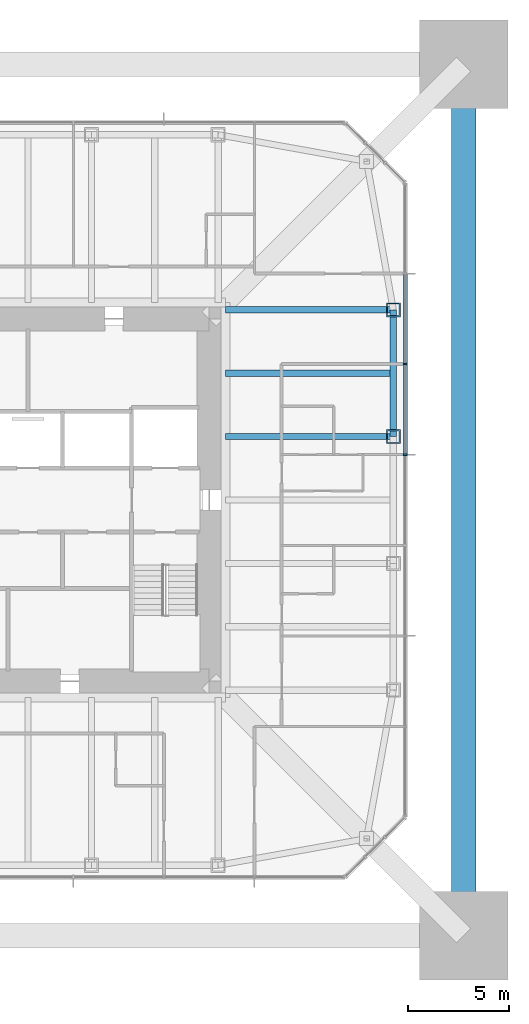
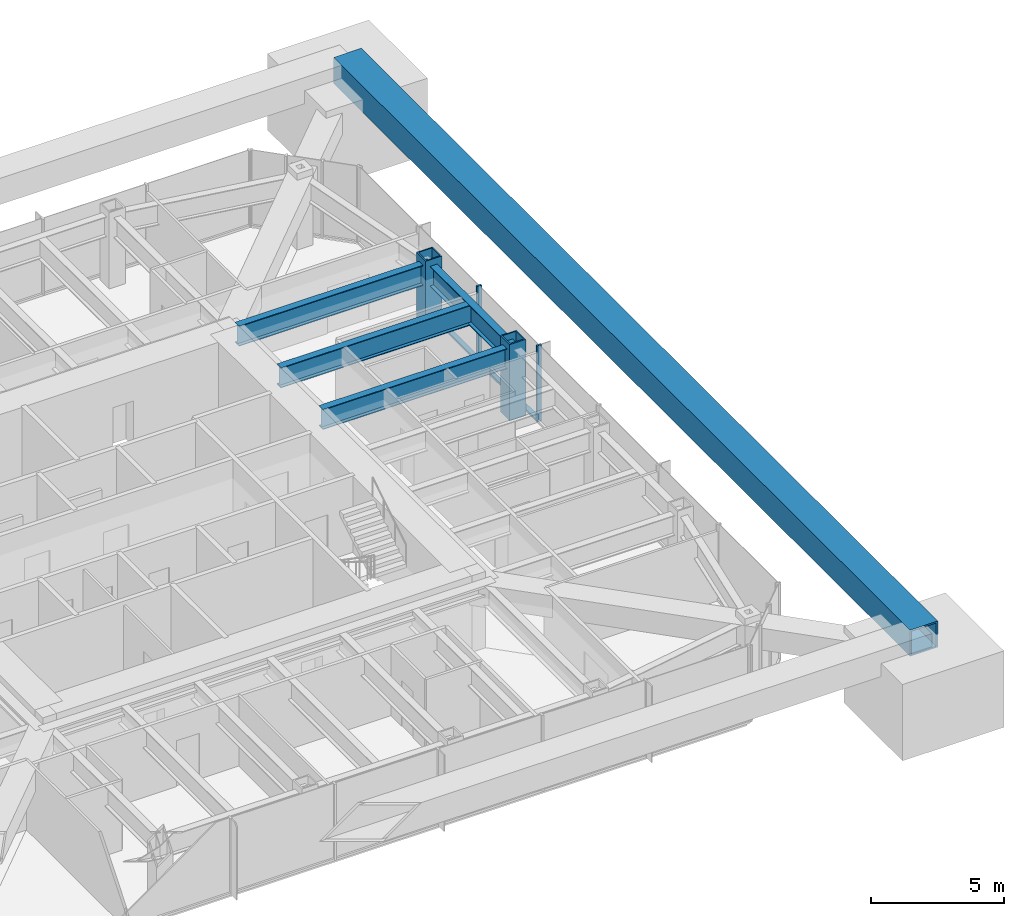
# One storey, part 6 of 15: 7 members, 4 beams, 1 element without a shape of its own.
"""IFC4 building model written with IfcOpenShell, lengths in metres."""

from ifc_helpers import new_model, si_unit, direction, frame, origin, origin_2d, place, context, subcontext, project, spatial, rectangle, hollow_rectangle, i_section, extrude, material, material_profile, profile_set, type_object, element, aggregate, save


model = new_model("IFC4")

# Units and contexts
model_context = context("Model", 3, precision=1e-05, world=origin(), true_north=direction((0.0, 1.0)))
body_context = subcontext(model_context, "Body", "Model", "MODEL_VIEW")
ifc_project = project(units=[si_unit("LENGTHUNIT", "METRE"), si_unit("AREAUNIT", "SQUARE_METRE"), si_unit("VOLUMEUNIT", "CUBIC_METRE"), si_unit("PLANEANGLEUNIT", "RADIAN"), si_unit("MASSUNIT", "GRAM", prefix="KILO")], contexts=[model_context])

# Site, building, storey
site_placement = place(None, origin())
site = spatial("IfcSite", under=ifc_project, at=site_placement, CompositionType="ELEMENT")
building_placement = place(site_placement, origin())
building = spatial("IfcBuilding", under=site, at=building_placement, Name="Iwan Alto Co-Living Towers", CompositionType="ELEMENT")
storey_placement = place(building_placement, frame((0.0, 0.0, 205.5)))
storey = spatial("IfcBuildingStorey", under=building, at=storey_placement, Name="L56", CompositionType="ELEMENT", Elevation=205.5)

# Curtain wall, members
ifc_material_1 = material(Name="Bronze aluminium unitised frame", Category="aluminium")
curtain_wall_type = type_object("IfcCurtainWallType", Name="CURTAIN WALL CW-A", PredefinedType="NOTDEFINED", material=ifc_material_1)
curtain_wall_placement = place(storey_placement, origin())
curtain_wall = element("IfcCurtainWall", 1, at=curtain_wall_placement, inside=storey, type_object=curtain_wall_type, Name="T1 curtain wall E L56", PredefinedType="NOTDEFINED")
ifc_material_2 = material(Name="Aluminium 6063-T6 bronze anodised", Category="aluminium")
ifc_material_profile_1 = material_profile(ifc_material_2, rectangle(XDim=0.199951171875, YDim=0.080078125, at=origin_2d()), Name="AL 80X200")
ifc_profile_set_1 = profile_set([ifc_material_profile_1], Name="Aluminium 6063-T6 bronze anodised")
member_type_1 = type_object("IfcMemberType", Name="CW-A MULLION 80X200", PredefinedType="MULLION", material=ifc_profile_set_1)
member_1_placement = place(storey_placement, frame((18.75, 2.25, 0.0), z_axis=(0.0, 0.0, 1.0), x_axis=(-1.0, 0.0, 0.0)))
member_1 = element("IfcMember", 2, at=member_1_placement, type_object=member_type_1, Name="CW-A mullion 5", PredefinedType="MULLION", context=body_context, shape_type="SweptSolid", body=[
    extrude(rectangle(XDim=0.199951171875, YDim=0.080078125, at=origin_2d()), origin(), (0.0, 0.0, 1.0), 3.5),
])
member_2_placement = place(storey_placement, frame((18.75, 6.75, 0.0), z_axis=(0.0, 0.0, 1.0), x_axis=(-1.0, 0.0, 0.0)))
member_2 = element("IfcMember", 3, at=member_2_placement, type_object=member_type_1, Name="CW-A mullion 6", PredefinedType="MULLION", context=body_context, shape_type="SweptSolid", body=[
    extrude(rectangle(XDim=0.199951171875, YDim=0.080078125, at=origin_2d()), origin(), (0.0, 0.0, 1.0), 3.5),
])
ifc_material_3 = material(Name="Aluminium 6063-T6 bronze anodised", Category="aluminium")
ifc_material_profile_2 = material_profile(ifc_material_3, rectangle(XDim=0.199951171875, YDim=0.10009765625, at=origin_2d()), Name="AL 200X100")
ifc_profile_set_2 = profile_set([ifc_material_profile_2], Name="Aluminium 6063-T6 bronze anodised")
member_type_2 = type_object("IfcMemberType", Name="CW-A TRANSOM 200X100", PredefinedType="USERDEFINED", material=ifc_profile_set_2)
member_3_placement = place(storey_placement, frame((18.75, 2.2900390625, 0.050048828125), z_axis=(0.0, 1.0, 0.0), x_axis=(-1.0, 0.0, 0.0)))
member_3 = element("IfcMember", 4, at=member_3_placement, type_object=member_type_2, Name="CW-A transom 5.1", ObjectType="TRANSOM", PredefinedType="USERDEFINED", context=body_context, shape_type="SweptSolid", body=[
    extrude(rectangle(XDim=0.199951171875, YDim=0.10009765625, at=origin_2d()), origin(), (0.0, 0.0, 1.0), 4.419921875),
])
member_4_placement = place(storey_placement, frame((18.75, 6.7900390625, 0.050048828125), z_axis=(0.0, 1.0, 0.0), x_axis=(-1.0, 0.0, 0.0)))
member_4 = element("IfcMember", 5, at=member_4_placement, type_object=member_type_2, Name="CW-A transom 6.1", ObjectType="TRANSOM", PredefinedType="USERDEFINED", context=body_context, shape_type="SweptSolid", body=[
    extrude(rectangle(XDim=0.199951171875, YDim=0.10009765625, at=origin_2d()), origin(), (0.0, 0.0, 1.0), 4.419921875),
])
aggregate(curtain_wall, [member_1, member_2, member_3, member_4])

# Beam
ifc_material_4 = material(Name="Steel ASTM A992 Gr 50", Category="steel")
ifc_material_profile_3 = material_profile(ifc_material_4, i_section(OverallWidth=0.307373046875, OverallDepth=0.927001953125, WebThickness=0.01953125, FlangeThickness=0.031982421875, at=origin_2d()), Name="W36X194")
ifc_profile_set_3 = profile_set([ifc_material_profile_3], Name="Steel ASTM A992 Gr 50")
beam_type_1 = type_object("IfcBeamType", Name="T1 BELT TRUSS CHORD W36X194", PredefinedType="BEAM", material=ifc_profile_set_3)
beam_1_placement = place(storey_placement, frame((18.14990234375, 3.14990234375, 2.736328125), z_axis=(0.0, 1.0, 0.0), x_axis=(-1.0, 0.0, 0.0)))
element("IfcBeam", 6, at=beam_1_placement, inside=storey, type_object=beam_type_1, Name="T1 edge beam E3 L57", PredefinedType="BEAM", context=body_context, shape_type="SweptSolid", body=[
    extrude(i_section(OverallWidth=0.307373046875, OverallDepth=0.927001953125, WebThickness=0.01953125, FlangeThickness=0.031982421875, at=origin_2d()), origin(), (0.0, 0.0, 1.0), 6.300048828125),
])

# Member
ifc_material_5 = material(Name="Steel ASTM A572 Gr 50", Category="steel")
ifc_material_profile_4 = material_profile(ifc_material_5, hollow_rectangle(XDim=1.199951171875, YDim=1.199951171875, WallThickness=0.070068359375, at=origin_2d()), Name="BOX 1200X1200X70")
ifc_profile_set_4 = profile_set([ifc_material_profile_4], Name="Steel ASTM A572 Gr 50")
member_type_3 = type_object("IfcMemberType", Name="T1 MEGA BELT TIE BOX 1200X1200X70", PredefinedType="STRUT", material=ifc_profile_set_4)
member_5_placement = place(storey_placement, frame((21.64990234375, -21.64990234375, 3.5), z_axis=(0.0, 1.0, 0.0), x_axis=(-1.0, 0.0, 0.0)))
element("IfcMember", 7, at=member_5_placement, inside=storey, type_object=member_type_3, Name="T1 mega belt tie E L57", PredefinedType="STRUT", context=body_context, shape_type="SweptSolid", body=[
    extrude(hollow_rectangle(XDim=1.199951171875, YDim=1.199951171875, WallThickness=0.070068359375, at=origin_2d()), origin(), (0.0, 0.0, 1.0), 43.2998046875),
])

# Beams
ifc_material_6 = material(Name="Steel ASTM A992 Gr 50", Category="steel")
ifc_material_profile_5 = material_profile(ifc_material_6, i_section(OverallWidth=0.307373046875, OverallDepth=0.927001953125, WebThickness=0.01953125, FlangeThickness=0.031982421875, at=origin_2d()), Name="W36X194")
ifc_profile_set_5 = profile_set([ifc_material_profile_5], Name="Steel ASTM A992 Gr 50")
beam_type_2 = type_object("IfcBeamType", Name="T1 RADIAL BEAM W36X194", PredefinedType="BEAM", material=ifc_profile_set_5)
for number, where, z_axis, x_axis, name in (
    (8, (18.14990234375, 3.14990234375, 2.736328125), (-1.0, 0.0, 0.0), (0.0, -1.0, 0.0), "T1 radial beam E3 L57"),
    (9, (18.14990234375, 9.449951171875, 2.736328125), (-1.0, 0.0, 0.0), (0.0, -1.0, 0.0), "T1 radial beam E4 L57"),
):
    element("IfcBeam", number, at=place(storey_placement, frame(where, z_axis=z_axis, x_axis=x_axis)), inside=storey, type_object=beam_type_2, Name=name, PredefinedType="BEAM", context=body_context, shape_type="SweptSolid", body=[
        extrude(i_section(OverallWidth=0.307373046875, OverallDepth=0.927001953125, WebThickness=0.01953125, FlangeThickness=0.031982421875, at=origin_2d()), origin(), (0.0, 0.0, 1.0), 8.33154296875),
    ])

# Members
ifc_material_7 = material(Name="Steel ASTM A572 Gr 50", Category="steel")
ifc_material_profile_6 = material_profile(ifc_material_7, hollow_rectangle(XDim=0.699951171875, YDim=0.699951171875, WallThickness=0.06005859375, at=origin_2d()), Name="BOX 700X700X60")
ifc_profile_set_6 = profile_set([ifc_material_profile_6], Name="Steel ASTM A572 Gr 50")
member_type_4 = type_object("IfcMemberType", Name="T1 RING POST AT STEP BOX 700X700X60", PredefinedType="MEMBER", material=ifc_profile_set_6)
for number, where, z_axis, x_axis, name in (
    (10, (18.14990234375, 3.14990234375, 0.0), (0.0, 0.0, 1.0), (1.0, 0.0, 0.0), "T1 ring post at step E3 L56"),
    (11, (18.14990234375, 9.449951171875, 0.0), (0.0, 0.0, 1.0), (1.0, 0.0, 0.0), "T1 ring post at step E4 L56"),
):
    element("IfcMember", number, at=place(storey_placement, frame(where, z_axis=z_axis, x_axis=x_axis)), inside=storey, type_object=member_type_4, Name=name, PredefinedType="MEMBER", context=body_context, shape_type="SweptSolid", body=[
        extrude(hollow_rectangle(XDim=0.699951171875, YDim=0.699951171875, WallThickness=0.06005859375, at=origin_2d()), origin(), (0.0, 0.0, 1.0), 3.5),
    ])

# Beam
ifc_material_8 = material(Name="Steel ASTM A992 Gr 50", Category="steel")
ifc_material_profile_7 = material_profile(ifc_material_8, i_section(OverallWidth=0.307373046875, OverallDepth=0.927001953125, WebThickness=0.01953125, FlangeThickness=0.031982421875, at=origin_2d()), Name="W36X194")
ifc_profile_set_7 = profile_set([ifc_material_profile_7], Name="Steel ASTM A992 Gr 50")
beam_type_3 = type_object("IfcBeamType", Name="T1 SECONDARY BEAM W36X194", PredefinedType="JOIST", material=ifc_profile_set_7)
beam_2_placement = place(storey_placement, frame((18.14990234375, 6.300048828125, 2.736328125), z_axis=(-1.0, 0.0, 0.0), x_axis=(0.0, -1.0, 0.0)))
element("IfcBeam", 12, at=beam_2_placement, inside=storey, type_object=beam_type_3, Name="T1 secondary beam E3 L57", PredefinedType="JOIST", context=body_context, shape_type="SweptSolid", body=[
    extrude(i_section(OverallWidth=0.307373046875, OverallDepth=0.927001953125, WebThickness=0.01953125, FlangeThickness=0.031982421875, at=origin_2d()), origin(), (0.0, 0.0, 1.0), 8.33154296875),
])

save(model, "model.ifc")
